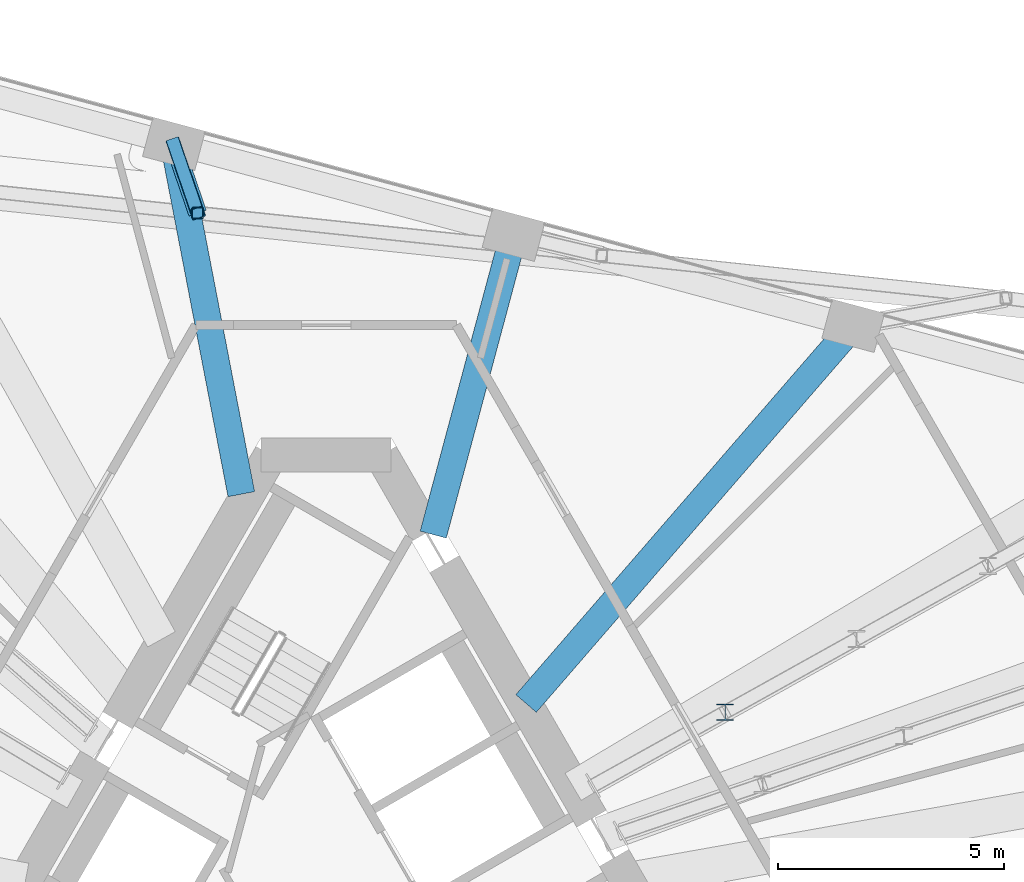
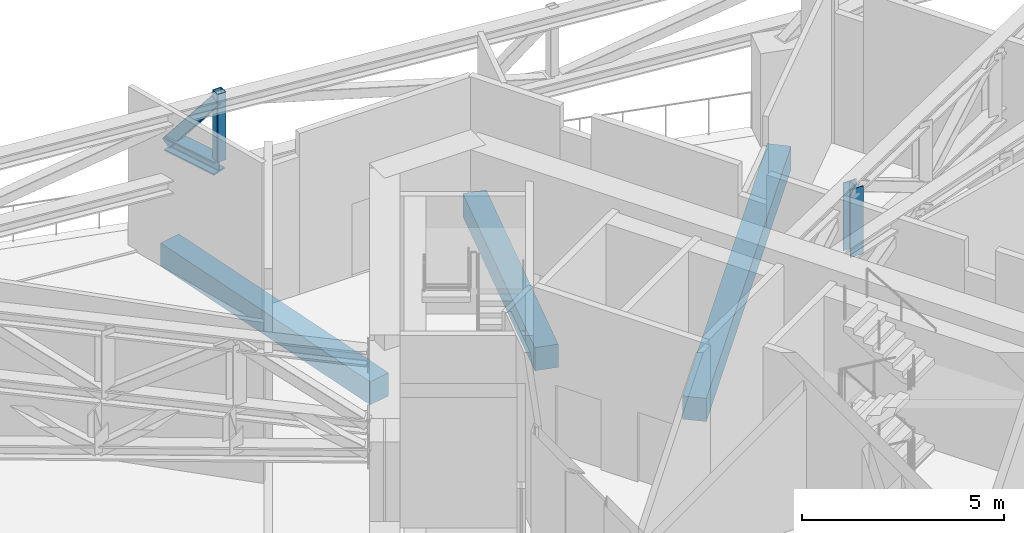
# One storey, part 10 of 22: 4 members, 3 beams.
"""IFC4 building model written with IfcOpenShell, lengths in metres."""

from ifc_helpers import new_model, si_unit, direction, frame, origin, origin_2d, place, context, subcontext, project, spatial, rectangle, hollow_rectangle, i_section, extrude, material, material_profile, profile_set, type_object, element, save


model = new_model("IFC4")

# Units and contexts
model_context = context("Model", 3, precision=1e-05, world=origin(), true_north=direction((0.0, 1.0)))
body_context = subcontext(model_context, "Body", "Model", "MODEL_VIEW")
ifc_project = project(units=[si_unit("LENGTHUNIT", "METRE"), si_unit("AREAUNIT", "SQUARE_METRE"), si_unit("VOLUMEUNIT", "CUBIC_METRE"), si_unit("PLANEANGLEUNIT", "RADIAN"), si_unit("MASSUNIT", "GRAM", prefix="KILO")], contexts=[model_context])

# Site, building, storey
site_placement = place(None, origin())
site = spatial("IfcSite", under=ifc_project, at=site_placement, CompositionType="ELEMENT")
building_placement = place(site_placement, origin())
building = spatial("IfcBuilding", under=site, at=building_placement, Name="Tramontana Tower", CompositionType="ELEMENT")
storey_placement = place(building_placement, frame((0.0, 0.0, 232.0)))
storey = spatial("IfcBuildingStorey", under=building, at=storey_placement, Name="L54", CompositionType="ELEMENT", Elevation=232.0)

# Members
ifc_material_1 = material(Name="Steel ASTM A500 Grade C", Category="steel")
ifc_material_profile_1 = material_profile(ifc_material_1, hollow_rectangle(XDim=0.25390625, YDim=0.25390625, WallThickness=0.01171875, InnerFilletRadius=0.01171875, OuterFilletRadius=0.023681640625, at=origin_2d()), Name="HSS10X10X1/2")
ifc_profile_set_1 = profile_set([ifc_material_profile_1], Name="Steel ASTM A500 Grade C")
member_type_1 = type_object("IfcMemberType", Name="Belt truss HSS10X10X1/2 post", PredefinedType="POST", material=ifc_profile_set_1)
member_1_placement = place(storey_placement, frame((-2.847900390625, 15.9853515625, 2.806396484375), z_axis=(0.0, 0.0, 1.0), x_axis=(1.0, 0.0, 0.0)))
element("IfcMember", 1, at=member_1_placement, inside=storey, type_object=member_type_1, Name="Belt truss post C6F11", PredefinedType="POST", context=body_context, shape_type="SweptSolid", body=[
    extrude(hollow_rectangle(XDim=0.25390625, YDim=0.25390625, WallThickness=0.01171875, InnerFilletRadius=0.01171875, OuterFilletRadius=0.023681640625, at=origin_2d()), origin(), (0.0, 0.0, 1.0), 2.043701171875),
])
ifc_material_2 = material(Name="Steel ASTM A992 Grade 50", Category="steel")
ifc_material_profile_2 = material_profile(ifc_material_2, i_section(OverallWidth=0.374755859375, OverallDepth=0.37158203125, WebThickness=0.015869140625, FlangeThickness=0.025390625, FilletRadius=0.01513671875, at=origin_2d()), Name="W14X132")
ifc_profile_set_2 = profile_set([ifc_material_profile_2], Name="Steel ASTM A992 Grade 50")
member_type_2 = type_object("IfcMemberType", Name="Outrigger truss W14X132 post", PredefinedType="POST", material=ifc_profile_set_2)
member_2_placement = place(storey_placement, frame((8.845703125, 4.9228515625, 2.603271484375), z_axis=(0.0, 0.0, 1.0), x_axis=(1.0, 0.0, 0.0)))
element("IfcMember", 2, at=member_2_placement, inside=storey, type_object=member_type_2, Name="Outrigger truss post 4.1", PredefinedType="POST", context=body_context, shape_type="SweptSolid", body=[
    extrude(i_section(OverallWidth=0.374755859375, OverallDepth=0.37158203125, WebThickness=0.015869140625, FlangeThickness=0.025390625, FilletRadius=0.01513671875, at=origin_2d()), origin(), (0.0, 0.0, 1.0), 2.04345703125),
])

# Beams
ifc_material_3 = material(Name="Concrete 40 MPa", Category="concrete")
ifc_material_profile_3 = material_profile(ifc_material_3, rectangle(XDim=0.60009765625, YDim=0.699951171875, at=origin_2d()), Name="RC GIRDER 600X700 40 MPa")
ifc_profile_set_3 = profile_set([ifc_material_profile_3], Name="Concrete 40 MPa")
beam_type = type_object("IfcBeamType", Name="RC GIRDER 600X700 40 MPa", PredefinedType="BEAM", material=ifc_profile_set_3)
beam_1_placement = place(storey_placement, frame((11.6826171875, 13.48583984375, -0.699951171875), z_axis=(-0.654758463957, -0.755838179689, 0.0), x_axis=(0.755838179689, -0.654758463957, 0.0)))
element("IfcBeam", 3, at=beam_1_placement, inside=storey, type_object=beam_type, Name="Radial girder C5F12 L54", PredefinedType="BEAM", context=body_context, shape_type="SweptSolid", body=[
    extrude(rectangle(XDim=0.60009765625, YDim=0.699951171875, at=origin_2d()), origin(), (0.0, 0.0, 1.0), 11.07421875),
])
beam_2_placement = place(storey_placement, frame((4.154052734375, 15.503173828125, -0.699951171875), z_axis=(-0.258826555959, -0.96592381373, 0.0), x_axis=(0.96592381373, -0.258826555959, 0.0)))
element("IfcBeam", 4, at=beam_2_placement, inside=storey, type_object=beam_type, Name="Radial girder C5F13 L54", PredefinedType="BEAM", context=body_context, shape_type="SweptSolid", body=[
    extrude(rectangle(XDim=0.60009765625, YDim=0.699951171875, at=origin_2d()), origin(), (0.0, 0.0, 1.0), 6.879150390625),
])
beam_3_placement = place(storey_placement, frame((-3.37451171875, 17.5205078125, -0.699951171875), z_axis=(0.189111876718, -0.981955547917, 0.0), x_axis=(0.981955547917, 0.189111876718, 0.0)))
element("IfcBeam", 5, at=beam_3_placement, inside=storey, type_object=beam_type, Name="Radial girder C5F14 L54", PredefinedType="BEAM", context=body_context, shape_type="SweptSolid", body=[
    extrude(rectangle(XDim=0.60009765625, YDim=0.699951171875, at=origin_2d()), origin(), (0.0, 0.0, 1.0), 7.90869140625),
])

# Members
ifc_material_4 = material(Name="Steel ASTM A500 Grade C", Category="steel")
ifc_material_profile_4 = material_profile(ifc_material_4, hollow_rectangle(XDim=0.3046875, YDim=0.3046875, WallThickness=0.01171875, InnerFilletRadius=0.01171875, OuterFilletRadius=0.023681640625, at=origin_2d()), Name="HSS12X12X1/2")
ifc_profile_set_4 = profile_set([ifc_material_profile_4], Name="Steel ASTM A500 Grade C")
member_type_3 = type_object("IfcMemberType", Name="Transfer truss HSS12X12X1/2 brace", PredefinedType="BRACE", material=ifc_profile_set_4)
member_3_placement = place(storey_placement, frame((-3.37451171875, 17.5205078125, 2.603271484375), z_axis=(0.201801739284, -0.588284347064, 0.783069336025), x_axis=(0.945894509259, 0.324474309235, 0.0)))
element("IfcMember", 6, at=member_3_placement, inside=storey, type_object=member_type_3, Name="Transfer truss strut C6F11 diagonal", PredefinedType="BRACE", context=body_context, shape_type="SweptSolid", body=[
    extrude(hollow_rectangle(XDim=0.3046875, YDim=0.3046875, WallThickness=0.01171875, InnerFilletRadius=0.01171875, OuterFilletRadius=0.023681640625, at=origin_2d()), origin(), (0.0, 0.0, 1.0), 2.609619140625),
])
ifc_material_5 = material(Name="Steel ASTM A992 Grade 50", Category="steel")
ifc_material_profile_5 = material_profile(ifc_material_5, i_section(OverallWidth=0.4033203125, OverallDepth=0.406494140625, WebThickness=0.027099609375, FlangeThickness=0.04443359375, FilletRadius=0.01513671875, at=origin_2d()), Name="W14X233")
ifc_profile_set_5 = profile_set([ifc_material_profile_5], Name="Steel ASTM A992 Grade 50")
member_type_4 = type_object("IfcMemberType", Name="Transfer truss W14X233 strut", PredefinedType="STRUT", material=ifc_profile_set_5)
member_4_placement = place(storey_placement, frame((-3.37451171875, 17.5205078125, 2.603271484375), z_axis=(0.324474309235, -0.945894509259, 0.0), x_axis=(0.945894509259, 0.324474309235, 0.0)))
element("IfcMember", 7, at=member_4_placement, inside=storey, type_object=member_type_4, Name="Transfer truss strut C6F11 bottom", PredefinedType="STRUT", context=body_context, shape_type="SweptSolid", body=[
    extrude(i_section(OverallWidth=0.4033203125, OverallDepth=0.406494140625, WebThickness=0.027099609375, FlangeThickness=0.04443359375, FilletRadius=0.01513671875, at=origin_2d()), origin(), (0.0, 0.0, 1.0), 1.623046875),
])

save(model, "model.ifc")
